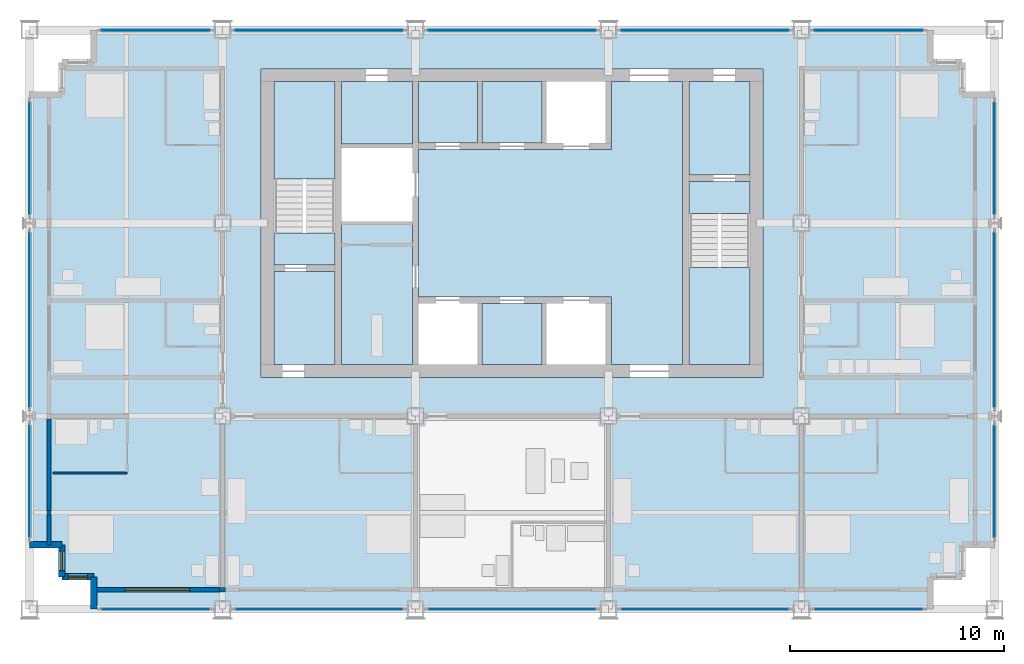
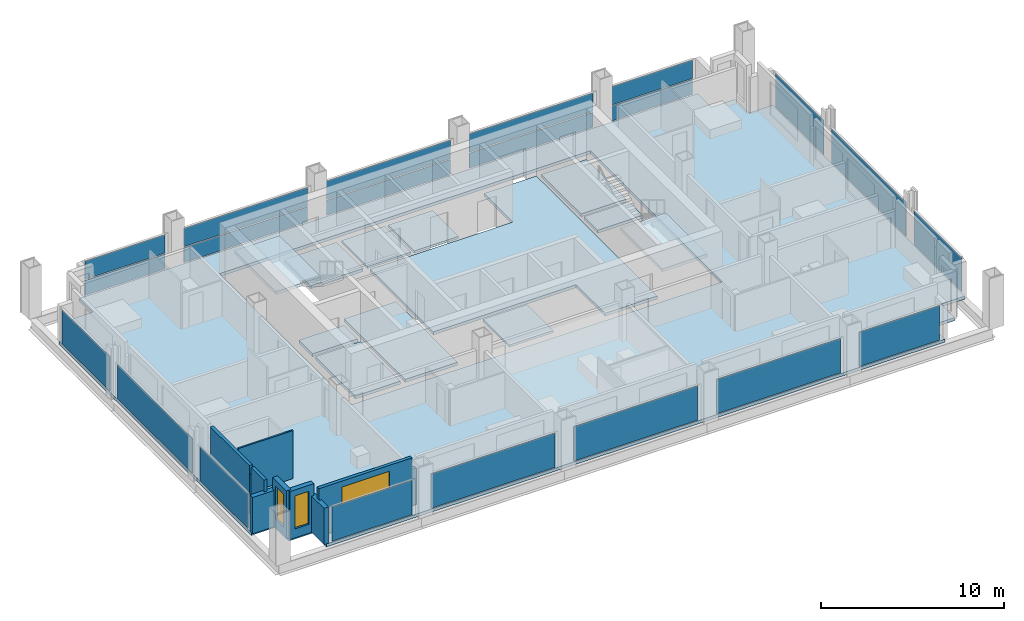
# One storey, part 6 of 13: 21 plates, 13 slabs, 10 walls, 3 windows, 3 openings, 18 elements without a shape of their own.
"""IFC4 building model written with IfcOpenShell, lengths in metres."""

from ifc_helpers import new_model, si_unit, direction, frame, frame_2d, origin, origin_2d, place, context, subcontext, project, spatial, polyline, rectangle, outline, extrude, material, layer, layer_set, type_object, element, fill, aggregate, save


model = new_model("IFC4")

# Units and contexts
model_context = context("Model", 3, precision=1e-05, world=origin(), true_north=direction((0.0, 1.0)))
body_context = subcontext(model_context, "Body", "Model", "MODEL_VIEW")
ifc_project = project(units=[si_unit("LENGTHUNIT", "METRE"), si_unit("AREAUNIT", "SQUARE_METRE"), si_unit("VOLUMEUNIT", "CUBIC_METRE"), si_unit("PLANEANGLEUNIT", "RADIAN"), si_unit("MASSUNIT", "GRAM", prefix="KILO")], contexts=[model_context])

# Site, building, storey
site_placement = place(None, origin())
site = spatial("IfcSite", under=ifc_project, at=site_placement, CompositionType="ELEMENT")
building_placement = place(site_placement, origin())
building = spatial("IfcBuilding", under=site, at=building_placement, Name="Loomwork Tower", CompositionType="ELEMENT")
storey_placement = place(building_placement, frame((0.0, 0.0, 174.0)))
storey = spatial("IfcBuildingStorey", under=building, at=storey_placement, Name="L47", CompositionType="ELEMENT", Elevation=174.0)

# Slabs
ifc_material_1 = material(Name="Concrete 5000 psi (34 MPa) on composite metal deck", Category="concrete")
ifc_layer_1 = layer(ifc_material_1, 0.199951171875)
ifc_layer_set_1 = layer_set([ifc_layer_1], Name="Floor slab 200")
slab_type_1 = type_object("IfcSlabType", Name="Floor slab 200", PredefinedType="FLOOR", material=ifc_layer_set_1)
slab_1_placement = place(storey_placement, frame((0.0, 0.0, -0.199951171875)))
element("IfcSlab", 1, at=slab_1_placement, inside=storey, type_object=slab_type_1, Name="Floor slab L47", PredefinedType="FLOOR", context=body_context, shape_type="SweptSolid", body=[
    extrude(outline(polyline([(3.0, 1.5), (1.5, 1.5), (1.5, 3.0), (0.0, 3.0), (0.0, 24.0), (1.5, 24.0), (1.5, 25.5), (3.0, 25.5), (3.0, 27.0), (42.0, 27.0), (42.0, 25.5), (43.5, 25.5), (43.5, 24.0), (45.0, 24.0), (45.0, 3.0), (43.5, 3.0), (43.5, 1.5), (42.0, 1.5), (42.0, 0.0), (3.0, 0.0), (3.0, 1.5)]), holes=[polyline([(10.800048828125, 11.39990234375), (10.800048828125, 11.39990234375), (10.800048828125, 10.800048828125), (34.199951171875, 10.800048828125), (34.199951171875, 11.39990234375), (34.199951171875, 11.39990234375), (34.199951171875, 24.60009765625), (34.199951171875, 25.199951171875), (10.800048828125, 25.199951171875), (10.800048828125, 24.60009765625), (10.800048828125, 11.39990234375)])]), origin(), (0.0, 0.0, 1.0), 0.199951171875),
])
slab_2_placement = place(storey_placement, frame((0.0, 0.0, -0.199951171875)))
element("IfcSlab", 2, at=slab_2_placement, inside=storey, type_object=slab_type_1, Name="Floor slab L47", PredefinedType="FLOOR", context=body_context, shape_type="SweptSolid", body=[
    extrude(outline(polyline([(30.449951171875, 24.60009765625), (30.449951171875, 11.39990234375), (27.14990234375, 11.39990234375), (27.14990234375, 14.25), (27.14990234375, 14.550048828125), (18.14990234375, 14.550048828125), (18.14990234375, 21.449951171875), (27.14990234375, 21.449951171875), (27.14990234375, 21.75), (27.14990234375, 24.60009765625), (30.449951171875, 24.60009765625)])), origin(), (0.0, 0.0, 1.0), 0.199951171875),
])
slab_3_placement = place(storey_placement, frame((0.0, 0.0, -0.199951171875)))
element("IfcSlab", 3, at=slab_3_placement, inside=storey, type_object=slab_type_1, Name="Floor slab L47", PredefinedType="FLOOR", context=body_context, shape_type="SweptSolid", body=[
    extrude(outline(polyline([(14.550048828125, 11.39990234375), (14.550048828125, 18.074951171875), (17.85009765625, 18.074951171875), (17.85009765625, 11.39990234375), (14.550048828125, 11.39990234375)])), origin(), (0.0, 0.0, 1.0), 0.199951171875),
])
slab_4_placement = place(storey_placement, frame((0.0, 0.0, -0.199951171875)))
element("IfcSlab", 4, at=slab_4_placement, inside=storey, type_object=slab_type_1, Name="Floor slab L47", PredefinedType="FLOOR", context=body_context, shape_type="SweptSolid", body=[
    extrude(outline(polyline([(33.60009765625, 20.25), (30.75, 20.25), (30.75, 24.60009765625), (33.60009765625, 24.60009765625), (33.60009765625, 20.25)])), origin(), (0.0, 0.0, 1.0), 0.199951171875),
])
slab_5_placement = place(storey_placement, frame((0.0, 0.0, -0.199951171875)))
element("IfcSlab", 5, at=slab_5_placement, inside=storey, type_object=slab_type_1, Name="Floor slab L47", PredefinedType="FLOOR", context=body_context, shape_type="SweptSolid", body=[
    extrude(outline(polyline([(14.25, 15.75), (14.25, 11.39990234375), (11.39990234375, 11.39990234375), (11.39990234375, 15.75), (14.25, 15.75)])), origin(), (0.0, 0.0, 1.0), 0.199951171875),
])
slab_6_placement = place(storey_placement, frame((0.0, 0.0, -0.199951171875)))
element("IfcSlab", 6, at=slab_6_placement, inside=storey, type_object=slab_type_1, Name="Floor slab L47", PredefinedType="FLOOR", context=body_context, shape_type="SweptSolid", body=[
    extrude(outline(polyline([(14.550048828125, 21.699951171875), (14.550048828125, 24.60009765625), (17.85009765625, 24.60009765625), (17.85009765625, 21.699951171875), (14.550048828125, 21.699951171875)])), origin(), (0.0, 0.0, 1.0), 0.199951171875),
])

# Curtain wall, plate
ifc_material_2 = material(Name="Aluminium curtain wall frame", Category="aluminium")
curtain_wall_type_1 = type_object("IfcCurtainWallType", Name="Outer skin glazing hotel", PredefinedType="NOTDEFINED", material=ifc_material_2)
curtain_wall_1_placement = place(storey_placement, origin())
curtain_wall_1 = element("IfcCurtainWall", 7, at=curtain_wall_1_placement, inside=storey, type_object=curtain_wall_type_1, Name="Outer skin glazing hotel cw/S-0", PredefinedType="NOTDEFINED")
ifc_material_3 = material(Name="Clear laminated glass", Category="glass")
ifc_layer_2 = layer(ifc_material_3, 0.02392578125)
ifc_layer_set_2 = layer_set([ifc_layer_2], Name="Outer skin glazing hotel panel")
plate_type_1 = type_object("IfcPlateType", Name="Outer skin glazing hotel panel", PredefinedType="CURTAIN_PANEL", material=ifc_layer_set_2)
plate_1_placement = place(storey_placement, frame((5.875, 0.0, 0.06494140625), z_axis=(0.0, 0.0, 1.0), x_axis=(1.0, 0.0, 0.0)))
plate_1 = element("IfcPlate", 8, at=plate_1_placement, type_object=plate_type_1, Name="CW1 panel 1.1", PredefinedType="CURTAIN_PANEL", context=body_context, shape_type="SweptSolid", body=[
    extrude(rectangle(XDim=5.050048828125, YDim=0.02392578125, at=origin_2d()), origin(), (0.0, 0.0, 1.0), 2.290283203125),
])
aggregate(curtain_wall_1, [plate_1])

curtain_wall_2_placement = place(storey_placement, origin())
curtain_wall_2 = element("IfcCurtainWall", 9, at=curtain_wall_2_placement, inside=storey, type_object=curtain_wall_type_1, Name="Outer skin glazing hotel cw/S-9", PredefinedType="NOTDEFINED")
plate_2_placement = place(storey_placement, frame((13.5, 0.0, 0.06494140625), z_axis=(0.0, 0.0, 1.0), x_axis=(1.0, 0.0, 0.0)))
plate_2 = element("IfcPlate", 10, at=plate_2_placement, type_object=plate_type_1, Name="CW1 panel 1.1", PredefinedType="CURTAIN_PANEL", context=body_context, shape_type="SweptSolid", body=[
    extrude(rectangle(XDim=7.800048828125, YDim=0.02392578125, at=origin_2d()), origin(), (0.0, 0.0, 1.0), 2.290283203125),
])
aggregate(curtain_wall_2, [plate_2])

curtain_wall_3_placement = place(storey_placement, origin())
curtain_wall_3 = element("IfcCurtainWall", 11, at=curtain_wall_3_placement, inside=storey, type_object=curtain_wall_type_1, Name="Outer skin glazing hotel cw/S-18", PredefinedType="NOTDEFINED")
plate_3_placement = place(storey_placement, frame((22.5, 0.0, 0.06494140625), z_axis=(0.0, 0.0, 1.0), x_axis=(1.0, 0.0, 0.0)))
plate_3 = element("IfcPlate", 12, at=plate_3_placement, type_object=plate_type_1, Name="CW1 panel 1.1", PredefinedType="CURTAIN_PANEL", context=body_context, shape_type="SweptSolid", body=[
    extrude(rectangle(XDim=7.800048828125, YDim=0.02392578125, at=origin_2d()), origin(), (0.0, 0.0, 1.0), 2.290283203125),
])
aggregate(curtain_wall_3, [plate_3])

curtain_wall_4_placement = place(storey_placement, origin())
curtain_wall_4 = element("IfcCurtainWall", 13, at=curtain_wall_4_placement, inside=storey, type_object=curtain_wall_type_1, Name="Outer skin glazing hotel cw/S-27", PredefinedType="NOTDEFINED")
plate_4_placement = place(storey_placement, frame((31.5, 0.0, 0.06494140625), z_axis=(0.0, 0.0, 1.0), x_axis=(1.0, 0.0, 0.0)))
plate_4 = element("IfcPlate", 14, at=plate_4_placement, type_object=plate_type_1, Name="CW1 panel 1.1", PredefinedType="CURTAIN_PANEL", context=body_context, shape_type="SweptSolid", body=[
    extrude(rectangle(XDim=7.800048828125, YDim=0.02392578125, at=origin_2d()), origin(), (0.0, 0.0, 1.0), 2.290283203125),
])
aggregate(curtain_wall_4, [plate_4])

curtain_wall_5_placement = place(storey_placement, origin())
curtain_wall_5 = element("IfcCurtainWall", 15, at=curtain_wall_5_placement, inside=storey, type_object=curtain_wall_type_1, Name="Outer skin glazing hotel cw/S-36", PredefinedType="NOTDEFINED")
plate_5_placement = place(storey_placement, frame((39.125, 0.0, 0.06494140625), z_axis=(0.0, 0.0, 1.0), x_axis=(1.0, 0.0, 0.0)))
plate_5 = element("IfcPlate", 16, at=plate_5_placement, type_object=plate_type_1, Name="CW1 panel 1.1", PredefinedType="CURTAIN_PANEL", context=body_context, shape_type="SweptSolid", body=[
    extrude(rectangle(XDim=5.050048828125, YDim=0.02392578125, at=origin_2d()), origin(), (0.0, 0.0, 1.0), 2.290283203125),
])
aggregate(curtain_wall_5, [plate_5])

curtain_wall_6_placement = place(storey_placement, origin())
curtain_wall_6 = element("IfcCurtainWall", 17, at=curtain_wall_6_placement, inside=storey, type_object=curtain_wall_type_1, Name="Outer skin glazing hotel cw/W-0", PredefinedType="NOTDEFINED")
plate_6_placement = place(storey_placement, frame((0.0, 5.962646484375, 0.06494140625), z_axis=(0.0, 0.0, 1.0), x_axis=(0.0, -1.0, 0.0)))
plate_6 = element("IfcPlate", 18, at=plate_6_placement, type_object=plate_type_1, Name="CW1 panel 1.1", PredefinedType="CURTAIN_PANEL", context=body_context, shape_type="SweptSolid", body=[
    extrude(rectangle(XDim=5.22509765625, YDim=0.02392578125, at=origin_2d()), origin(), (0.0, 0.0, 1.0), 2.290283203125),
])
aggregate(curtain_wall_6, [plate_6])

curtain_wall_7_placement = place(storey_placement, origin())
curtain_wall_7 = element("IfcCurtainWall", 19, at=curtain_wall_7_placement, inside=storey, type_object=curtain_wall_type_1, Name="Outer skin glazing hotel cw/W-9", PredefinedType="NOTDEFINED")
plate_7_placement = place(storey_placement, frame((0.0, 13.5, 0.06494140625), z_axis=(0.0, 0.0, 1.0), x_axis=(0.0, -1.0, 0.0)))
plate_7 = element("IfcPlate", 20, at=plate_7_placement, type_object=plate_type_1, Name="CW1 panel 1.1", PredefinedType="CURTAIN_PANEL", context=body_context, shape_type="SweptSolid", body=[
    extrude(rectangle(XDim=8.150390625, YDim=0.02392578125, at=origin_2d()), origin(), (0.0, 0.0, 1.0), 2.290283203125),
])
aggregate(curtain_wall_7, [plate_7])

curtain_wall_8_placement = place(storey_placement, origin())
curtain_wall_8 = element("IfcCurtainWall", 21, at=curtain_wall_8_placement, inside=storey, type_object=curtain_wall_type_1, Name="Outer skin glazing hotel cw/W-18", PredefinedType="NOTDEFINED")
plate_8_placement = place(storey_placement, frame((0.0, 21.037353515625, 0.06494140625), z_axis=(0.0, 0.0, 1.0), x_axis=(0.0, -1.0, 0.0)))
plate_8 = element("IfcPlate", 22, at=plate_8_placement, type_object=plate_type_1, Name="CW1 panel 1.1", PredefinedType="CURTAIN_PANEL", context=body_context, shape_type="SweptSolid", body=[
    extrude(rectangle(XDim=5.22509765625, YDim=0.02392578125, at=origin_2d()), origin(), (0.0, 0.0, 1.0), 2.290283203125),
])
aggregate(curtain_wall_8, [plate_8])

curtain_wall_9_placement = place(storey_placement, origin())
curtain_wall_9 = element("IfcCurtainWall", 23, at=curtain_wall_9_placement, inside=storey, type_object=curtain_wall_type_1, Name="Outer skin glazing hotel cw/E-0", PredefinedType="NOTDEFINED")
plate_9_placement = place(storey_placement, frame((45.0, 5.962646484375, 0.06494140625), z_axis=(0.0, 0.0, 1.0), x_axis=(0.0, 1.0, 0.0)))
plate_9 = element("IfcPlate", 24, at=plate_9_placement, type_object=plate_type_1, Name="CW1 panel 1.1", PredefinedType="CURTAIN_PANEL", context=body_context, shape_type="SweptSolid", body=[
    extrude(rectangle(XDim=5.22509765625, YDim=0.02392578125, at=origin_2d()), origin(), (0.0, 0.0, 1.0), 2.290283203125),
])
aggregate(curtain_wall_9, [plate_9])

curtain_wall_10_placement = place(storey_placement, origin())
curtain_wall_10 = element("IfcCurtainWall", 25, at=curtain_wall_10_placement, inside=storey, type_object=curtain_wall_type_1, Name="Outer skin glazing hotel cw/E-9", PredefinedType="NOTDEFINED")
plate_10_placement = place(storey_placement, frame((45.0, 13.5, 0.06494140625), z_axis=(0.0, 0.0, 1.0), x_axis=(0.0, 1.0, 0.0)))
plate_10 = element("IfcPlate", 26, at=plate_10_placement, type_object=plate_type_1, Name="CW1 panel 1.1", PredefinedType="CURTAIN_PANEL", context=body_context, shape_type="SweptSolid", body=[
    extrude(rectangle(XDim=8.150390625, YDim=0.02392578125, at=origin_2d()), origin(), (0.0, 0.0, 1.0), 2.290283203125),
])
aggregate(curtain_wall_10, [plate_10])

curtain_wall_11_placement = place(storey_placement, origin())
curtain_wall_11 = element("IfcCurtainWall", 27, at=curtain_wall_11_placement, inside=storey, type_object=curtain_wall_type_1, Name="Outer skin glazing hotel cw/E-18", PredefinedType="NOTDEFINED")
plate_11_placement = place(storey_placement, frame((45.0, 21.037353515625, 0.06494140625), z_axis=(0.0, 0.0, 1.0), x_axis=(0.0, 1.0, 0.0)))
plate_11 = element("IfcPlate", 28, at=plate_11_placement, type_object=plate_type_1, Name="CW1 panel 1.1", PredefinedType="CURTAIN_PANEL", context=body_context, shape_type="SweptSolid", body=[
    extrude(rectangle(XDim=5.22509765625, YDim=0.02392578125, at=origin_2d()), origin(), (0.0, 0.0, 1.0), 2.290283203125),
])
aggregate(curtain_wall_11, [plate_11])

# Slabs
ifc_material_4 = material(Name="Concrete 5000 psi (34 MPa) on composite metal deck", Category="concrete")
ifc_layer_3 = layer(ifc_material_4, 0.14990234375)
ifc_layer_set_3 = layer_set([ifc_layer_3], Name="Shaft infill floor 150")
slab_type_2 = type_object("IfcSlabType", Name="Shaft infill floor 150", PredefinedType="FLOOR", material=ifc_layer_set_3)
slab_7_placement = place(storey_placement, frame((0.0, 0.0, -0.14990234375)))
element("IfcSlab", 29, at=slab_7_placement, inside=storey, type_object=slab_type_2, Name="Shaft infill floor LS1 L47", PredefinedType="FLOOR", context=body_context, shape_type="SweptSolid", body=[
    extrude(outline(polyline([(18.14990234375, 21.75), (20.89990234375, 21.75), (20.89990234375, 24.60009765625), (18.14990234375, 24.60009765625), (18.14990234375, 21.75)])), origin(), (0.0, 0.0, 1.0), 0.14990234375),
])
slab_8_placement = place(storey_placement, frame((0.0, 0.0, -0.14990234375)))
element("IfcSlab", 30, at=slab_8_placement, inside=storey, type_object=slab_type_2, Name="Shaft infill floor LS2 L47", PredefinedType="FLOOR", context=body_context, shape_type="SweptSolid", body=[
    extrude(outline(polyline([(21.10009765625, 21.75), (23.89990234375, 21.75), (23.89990234375, 24.60009765625), (21.10009765625, 24.60009765625), (21.10009765625, 21.75)])), origin(), (0.0, 0.0, 1.0), 0.14990234375),
])
slab_9_placement = place(storey_placement, frame((0.0, 0.0, -0.14990234375)))
element("IfcSlab", 31, at=slab_9_placement, inside=storey, type_object=slab_type_2, Name="Shaft infill floor S2 L47", PredefinedType="FLOOR", context=body_context, shape_type="SweptSolid", body=[
    extrude(outline(polyline([(21.10009765625, 11.39990234375), (23.89990234375, 11.39990234375), (23.89990234375, 14.25), (21.10009765625, 14.25), (21.10009765625, 11.39990234375)])), origin(), (0.0, 0.0, 1.0), 0.14990234375),
])

# Curtain wall, plates
ifc_material_5 = material(Name="Aluminium curtain wall frame", Category="aluminium")
curtain_wall_type_2 = type_object("IfcCurtainWallType", Name="Single skin glazing corridor", PredefinedType="NOTDEFINED", material=ifc_material_5)
curtain_wall_12_placement = place(storey_placement, origin())
curtain_wall_12 = element("IfcCurtainWall", 32, at=curtain_wall_12_placement, inside=storey, type_object=curtain_wall_type_2, Name="Single skin glazing corridor cw/N-0", PredefinedType="NOTDEFINED")
ifc_material_6 = material(Name="Clear insulated glass", Category="glass")
ifc_layer_4 = layer(ifc_material_6, 0.031982421875)
ifc_layer_set_4 = layer_set([ifc_layer_4], Name="Single skin glazing corridor panel")
plate_type_2 = type_object("IfcPlateType", Name="Single skin glazing corridor panel", PredefinedType="CURTAIN_PANEL", material=ifc_layer_set_4)
plate_12_placement = place(storey_placement, frame((5.875, 27.0, 0.06494140625), z_axis=(0.0, 0.0, 1.0), x_axis=(-1.0, 0.0, 0.0)))
plate_12 = element("IfcPlate", 33, at=plate_12_placement, type_object=plate_type_2, Name="CW3 panel 1.1", PredefinedType="CURTAIN_PANEL", context=body_context, shape_type="SweptSolid", body=[
    extrude(rectangle(XDim=5.050048828125, YDim=0.031982421875, at=origin_2d()), origin(), (0.0, 0.0, 1.0), 1.00244140625),
])
plate_13_placement = place(storey_placement, frame((5.875, 27.0, 1.132568359375), z_axis=(0.0, 0.0, 1.0), x_axis=(-1.0, 0.0, 0.0)))
plate_13 = element("IfcPlate", 34, at=plate_13_placement, type_object=plate_type_2, Name="CW3 panel 1.2", PredefinedType="CURTAIN_PANEL", context=body_context, shape_type="SweptSolid", body=[
    extrude(rectangle(XDim=5.050048828125, YDim=0.031982421875, at=origin_2d()), origin(), (0.0, 0.0, 1.0), 1.22265625),
])
aggregate(curtain_wall_12, [plate_12, plate_13])

curtain_wall_13_placement = place(storey_placement, origin())
curtain_wall_13 = element("IfcCurtainWall", 35, at=curtain_wall_13_placement, inside=storey, type_object=curtain_wall_type_2, Name="Single skin glazing corridor cw/N-9", PredefinedType="NOTDEFINED")
plate_14_placement = place(storey_placement, frame((13.5, 27.0, 0.06494140625), z_axis=(0.0, 0.0, 1.0), x_axis=(-1.0, 0.0, 0.0)))
plate_14 = element("IfcPlate", 36, at=plate_14_placement, type_object=plate_type_2, Name="CW3 panel 1.1", PredefinedType="CURTAIN_PANEL", context=body_context, shape_type="SweptSolid", body=[
    extrude(rectangle(XDim=7.800048828125, YDim=0.031982421875, at=origin_2d()), origin(), (0.0, 0.0, 1.0), 1.00244140625),
])
plate_15_placement = place(storey_placement, frame((13.5, 27.0, 1.132568359375), z_axis=(0.0, 0.0, 1.0), x_axis=(-1.0, 0.0, 0.0)))
plate_15 = element("IfcPlate", 37, at=plate_15_placement, type_object=plate_type_2, Name="CW3 panel 1.2", PredefinedType="CURTAIN_PANEL", context=body_context, shape_type="SweptSolid", body=[
    extrude(rectangle(XDim=7.800048828125, YDim=0.031982421875, at=origin_2d()), origin(), (0.0, 0.0, 1.0), 1.22265625),
])
aggregate(curtain_wall_13, [plate_14, plate_15])

curtain_wall_14_placement = place(storey_placement, origin())
curtain_wall_14 = element("IfcCurtainWall", 38, at=curtain_wall_14_placement, inside=storey, type_object=curtain_wall_type_2, Name="Single skin glazing corridor cw/N-18", PredefinedType="NOTDEFINED")
plate_16_placement = place(storey_placement, frame((22.5, 27.0, 0.06494140625), z_axis=(0.0, 0.0, 1.0), x_axis=(-1.0, 0.0, 0.0)))
plate_16 = element("IfcPlate", 39, at=plate_16_placement, type_object=plate_type_2, Name="CW3 panel 1.1", PredefinedType="CURTAIN_PANEL", context=body_context, shape_type="SweptSolid", body=[
    extrude(rectangle(XDim=7.800048828125, YDim=0.031982421875, at=origin_2d()), origin(), (0.0, 0.0, 1.0), 1.00244140625),
])
plate_17_placement = place(storey_placement, frame((22.5, 27.0, 1.132568359375), z_axis=(0.0, 0.0, 1.0), x_axis=(-1.0, 0.0, 0.0)))
plate_17 = element("IfcPlate", 40, at=plate_17_placement, type_object=plate_type_2, Name="CW3 panel 1.2", PredefinedType="CURTAIN_PANEL", context=body_context, shape_type="SweptSolid", body=[
    extrude(rectangle(XDim=7.800048828125, YDim=0.031982421875, at=origin_2d()), origin(), (0.0, 0.0, 1.0), 1.22265625),
])
aggregate(curtain_wall_14, [plate_16, plate_17])

curtain_wall_15_placement = place(storey_placement, origin())
curtain_wall_15 = element("IfcCurtainWall", 41, at=curtain_wall_15_placement, inside=storey, type_object=curtain_wall_type_2, Name="Single skin glazing corridor cw/N-27", PredefinedType="NOTDEFINED")
plate_18_placement = place(storey_placement, frame((31.5, 27.0, 0.06494140625), z_axis=(0.0, 0.0, 1.0), x_axis=(-1.0, 0.0, 0.0)))
plate_18 = element("IfcPlate", 42, at=plate_18_placement, type_object=plate_type_2, Name="CW3 panel 1.1", PredefinedType="CURTAIN_PANEL", context=body_context, shape_type="SweptSolid", body=[
    extrude(rectangle(XDim=7.800048828125, YDim=0.031982421875, at=origin_2d()), origin(), (0.0, 0.0, 1.0), 1.00244140625),
])
plate_19_placement = place(storey_placement, frame((31.5, 27.0, 1.132568359375), z_axis=(0.0, 0.0, 1.0), x_axis=(-1.0, 0.0, 0.0)))
plate_19 = element("IfcPlate", 43, at=plate_19_placement, type_object=plate_type_2, Name="CW3 panel 1.2", PredefinedType="CURTAIN_PANEL", context=body_context, shape_type="SweptSolid", body=[
    extrude(rectangle(XDim=7.800048828125, YDim=0.031982421875, at=origin_2d()), origin(), (0.0, 0.0, 1.0), 1.22265625),
])
aggregate(curtain_wall_15, [plate_18, plate_19])

curtain_wall_16_placement = place(storey_placement, origin())
curtain_wall_16 = element("IfcCurtainWall", 44, at=curtain_wall_16_placement, inside=storey, type_object=curtain_wall_type_2, Name="Single skin glazing corridor cw/N-36", PredefinedType="NOTDEFINED")
plate_20_placement = place(storey_placement, frame((39.125, 27.0, 0.06494140625), z_axis=(0.0, 0.0, 1.0), x_axis=(-1.0, 0.0, 0.0)))
plate_20 = element("IfcPlate", 45, at=plate_20_placement, type_object=plate_type_2, Name="CW3 panel 1.1", PredefinedType="CURTAIN_PANEL", context=body_context, shape_type="SweptSolid", body=[
    extrude(rectangle(XDim=5.050048828125, YDim=0.031982421875, at=origin_2d()), origin(), (0.0, 0.0, 1.0), 1.00244140625),
])
plate_21_placement = place(storey_placement, frame((39.125, 27.0, 1.132568359375), z_axis=(0.0, 0.0, 1.0), x_axis=(-1.0, 0.0, 0.0)))
plate_21 = element("IfcPlate", 46, at=plate_21_placement, type_object=plate_type_2, Name="CW3 panel 1.2", PredefinedType="CURTAIN_PANEL", context=body_context, shape_type="SweptSolid", body=[
    extrude(rectangle(XDim=5.050048828125, YDim=0.031982421875, at=origin_2d()), origin(), (0.0, 0.0, 1.0), 1.22265625),
])
aggregate(curtain_wall_16, [plate_20, plate_21])

# Stair, slabs
ifc_material_7 = material(Name="Concrete 5000 psi (34 MPa) precast stair", Category="concrete")
stair_type_1 = type_object("IfcStairType", Name="Stair ST-A 20 risers 2850 wide", PredefinedType="HALF_TURN_STAIR", material=ifc_material_7)
stair_1_placement = place(storey_placement, origin())
stair_1 = element("IfcStair", 47, at=stair_1_placement, inside=storey, type_object=stair_type_1, Name="Stair A L47", PredefinedType="HALF_TURN_STAIR")
ifc_material_8 = material(Name="Concrete 5000 psi (34 MPa)", Category="concrete")
ifc_layer_5 = layer(ifc_material_8, 0.199951171875)
ifc_layer_set_5 = layer_set([ifc_layer_5], Name="Stair landing 200")
slab_type_3 = type_object("IfcSlabType", Name="Stair landing 200", PredefinedType="LANDING", material=ifc_layer_set_5)
slab_10_placement = place(storey_placement, frame((0.0, 0.0, -0.199951171875)))
slab_10 = element("IfcSlab", 48, at=slab_10_placement, type_object=slab_type_3, Name="ST-A landing 1", PredefinedType="LANDING", context=body_context, shape_type="SweptSolid", body=[
    extrude(outline(polyline([(11.39990234375, 16.050048828125), (14.25, 16.050048828125), (14.25, 17.550048828125), (11.39990234375, 17.550048828125), (11.39990234375, 16.050048828125)])), origin(), (0.0, 0.0, 1.0), 0.199951171875),
])
slab_11_placement = place(storey_placement, frame((0.0, 0.0, 1.5)))
slab_11 = element("IfcSlab", 49, at=slab_11_placement, type_object=slab_type_3, Name="ST-A landing 2", PredefinedType="LANDING", context=body_context, shape_type="SweptSolid", body=[
    extrude(outline(polyline([(11.39990234375, 20.070068359375), (14.25, 20.070068359375), (14.25, 24.60009765625), (11.39990234375, 24.60009765625), (11.39990234375, 20.070068359375)])), origin(), (0.0, 0.0, 1.0), 0.199951171875),
])
aggregate(stair_1, [slab_10, slab_11])

ifc_material_9 = material(Name="Concrete 5000 psi (34 MPa) precast stair", Category="concrete")
stair_type_2 = type_object("IfcStairType", Name="Stair ST-B 20 risers 2850 wide", PredefinedType="HALF_TURN_STAIR", material=ifc_material_9)
stair_2_placement = place(storey_placement, origin())
stair_2 = element("IfcStair", 50, at=stair_2_placement, inside=storey, type_object=stair_type_2, Name="Stair B L47", PredefinedType="HALF_TURN_STAIR")
slab_12_placement = place(storey_placement, frame((0.0, 0.0, -0.199951171875)))
slab_12 = element("IfcSlab", 51, at=slab_12_placement, type_object=slab_type_3, Name="ST-B landing 1", PredefinedType="LANDING", context=body_context, shape_type="SweptSolid", body=[
    extrude(outline(polyline([(30.75, 18.449951171875), (33.60009765625, 18.449951171875), (33.60009765625, 19.949951171875), (30.75, 19.949951171875), (30.75, 18.449951171875)])), origin(), (0.0, 0.0, 1.0), 0.199951171875),
])
slab_13_placement = place(storey_placement, frame((0.0, 0.0, 1.5)))
slab_13 = element("IfcSlab", 52, at=slab_13_placement, type_object=slab_type_3, Name="ST-B landing 2", PredefinedType="LANDING", context=body_context, shape_type="SweptSolid", body=[
    extrude(outline(polyline([(30.75, 11.39990234375), (33.60009765625, 11.39990234375), (33.60009765625, 15.929931640625), (30.75, 15.929931640625), (30.75, 11.39990234375)])), origin(), (0.0, 0.0, 1.0), 0.199951171875),
])
aggregate(stair_2, [slab_12, slab_13])

# Wall
ifc_material_10 = material(Name="Cement board on steel studs", Category="steel")
ifc_layer_6 = layer(ifc_material_10, 0.10009765625)
ifc_layer_set_6 = layer_set([ifc_layer_6], Name="En-suite partition 100")
wall_type_1 = type_object("IfcWallType", Name="En-suite partition 100", PredefinedType="PARTITIONING", material=ifc_layer_set_6)
wall_1_placement = place(storey_placement, frame((1.10009765625, 6.35009765625, 0.0), z_axis=(0.0, 0.0, 1.0), x_axis=(1.0, 0.0, 0.0)))
element("IfcWall", 53, at=wall_1_placement, inside=storey, type_object=wall_type_1, Name="En-suite wall L47 room 1", PredefinedType="PARTITIONING", context=body_context, shape_type="SweptSolid", body=[
    extrude(rectangle(XDim=3.449951171875, YDim=0.10009765625, at=frame_2d((1.72509765625, 0.0))), origin(), (0.0, 0.0, 1.0), 3.199951171875),
])

# Wall, opening, window
ifc_material_11 = material(Name="Insulated steel stud wall with gypsum lining", Category="steel")
ifc_layer_7 = layer(ifc_material_11, 0.199951171875)
ifc_layer_set_7 = layer_set([ifc_layer_7], Name="Inner skin wall 200")
wall_type_2 = type_object("IfcWallType", Name="Inner skin wall 200", PredefinedType="SOLIDWALL", material=ifc_layer_set_7)
wall_2_placement = place(storey_placement, frame((3.0, 0.89990234375, 0.0), z_axis=(0.0, 0.0, 1.0), x_axis=(1.0, 0.0, 0.0)))
wall_2 = element("IfcWall", 54, at=wall_2_placement, inside=storey, type_object=wall_type_2, Name="Inner skin wall S", PredefinedType="SOLIDWALL", context=body_context, shape_type="SweptSolid", body=[
    extrude(rectangle(XDim=5.86474609375, YDim=0.199951171875, at=frame_2d((2.932373046875, 0.0))), origin(), (0.0, 0.0, 1.0), 3.199951171875),
])
opening_1_placement = place(wall_2_placement, frame((1.449951171875, 0.0, 0.60009765625)))
opening_1 = element("IfcOpeningElement", 55, at=opening_1_placement, cuts=wall_2, Name="Opening CH1", PredefinedType="OPENING", context=body_context, shape_type="SweptSolid", body=[
    extrude(rectangle(XDim=3.0, YDim=2.199951171875, at=frame_2d((1.5, 1.10009765625))), frame((0.0, 0.10986328125, 0.0), z_axis=(0.0, -1.0, 0.0), x_axis=(1.0, 0.0, 0.0)), (0.0, 0.0, 1.0), 0.219970703125),
])
ifc_material_12 = material(Name="Aluminium frame with clear insulated glass", Category="aluminium")
window_type_1 = type_object("IfcWindowType", Name="Chicago window 3000", PartitioningType="TRIPLE_PANEL_VERTICAL", PredefinedType="WINDOW", material=ifc_material_12)
window_1_placement = place(opening_1_placement, origin())
window_1 = element("IfcWindow", 56, at=window_1_placement, inside=storey, type_object=window_type_1, Name="Chicago window L47 bay 1", OverallHeight=2.199951171875, OverallWidth=3.0, PartitioningType="TRIPLE_PANEL_VERTICAL", PredefinedType="WINDOW", context=body_context, shape_type="SweptSolid", body=[
    extrude(rectangle(XDim=3.0, YDim=2.199951171875, at=frame_2d((1.5, 1.10009765625))), frame((0.0, 0.030029296875, 0.0), z_axis=(0.0, -1.0, 0.0), x_axis=(1.0, 0.0, 0.0)), (0.0, 0.0, 1.0), 0.06005859375),
])
fill(opening_1, window_1)

# Walls
wall_3_placement = place(storey_placement, frame((0.89990234375, 3.0, 0.0), z_axis=(0.0, 0.0, 1.0), x_axis=(0.0, 1.0, 0.0)))
element("IfcWall", 57, at=wall_3_placement, inside=storey, type_object=wall_type_2, Name="Inner skin wall W", PredefinedType="SOLIDWALL", context=body_context, shape_type="SweptSolid", body=[
    extrude(rectangle(XDim=1.392578125, YDim=0.199951171875, at=frame_2d((0.6962890625, 0.0))), origin(), (0.0, 0.0, 1.0), 3.199951171875),
])
wall_4_placement = place(storey_placement, frame((8.86474609375, 0.89990234375, 0.0), z_axis=(0.0, 0.0, 1.0), x_axis=(1.0, 0.0, 0.0)))
element("IfcWall", 58, at=wall_4_placement, inside=storey, type_object=wall_type_2, Name="Inner skin wall S bay 2", PredefinedType="SOLIDWALL", context=body_context, shape_type="SweptSolid", body=[
    extrude(rectangle(XDim=0.2705078125, YDim=0.199951171875, at=frame_2d((0.13525390625, 0.0))), origin(), (0.0, 0.0, 1.0), 2.43798828125),
])
wall_5_placement = place(storey_placement, frame((0.89990234375, 4.392578125, 0.0), z_axis=(0.0, 0.0, 1.0), x_axis=(0.0, 1.0, 0.0)))
element("IfcWall", 59, at=wall_5_placement, inside=storey, type_object=wall_type_2, Name="Inner skin wall W bay 2", PredefinedType="SOLIDWALL", context=body_context, shape_type="SweptSolid", body=[
    extrude(rectangle(XDim=0.21484375, YDim=0.199951171875, at=frame_2d((0.107421875, 0.0))), origin(), (0.0, 0.0, 1.0), 2.660888671875),
])
wall_6_placement = place(storey_placement, frame((0.89990234375, 4.607421875, 0.0), z_axis=(0.0, 0.0, 1.0), x_axis=(0.0, 1.0, 0.0)))
element("IfcWall", 60, at=wall_6_placement, inside=storey, type_object=wall_type_2, Name="Inner skin wall W bay 3", PredefinedType="SOLIDWALL", context=body_context, shape_type="SweptSolid", body=[
    extrude(rectangle(XDim=4.25732421875, YDim=0.199951171875, at=frame_2d((2.128662109375, 0.0))), origin(), (0.0, 0.0, 1.0), 3.199951171875),
])
ifc_material_13 = material(Name="Limestone on concrete masonry", Category="masonry")
ifc_layer_8 = layer(ifc_material_13, 0.300048828125)
ifc_layer_set_8 = layer_set([ifc_layer_8], Name="Limestone corner wall 300")
wall_type_3 = type_object("IfcWallType", Name="Limestone corner wall 300", PredefinedType="SOLIDWALL", material=ifc_layer_set_8)
wall_7_placement = place(storey_placement, frame((0.0, 3.0, 0.0), z_axis=(0.0, 0.0, 1.0), x_axis=(1.0, 0.0, 0.0)))
element("IfcWall", 61, at=wall_7_placement, inside=storey, type_object=wall_type_3, Name="Stone corner wall SW 1", PredefinedType="SOLIDWALL", context=body_context, shape_type="SweptSolid", body=[
    extrude(rectangle(XDim=1.5, YDim=0.300048828125, at=frame_2d((0.75, 0.0))), origin(), (0.0, 0.0, 1.0), 2.419921875),
])

# Wall, opening, window
wall_8_placement = place(storey_placement, frame((1.5, 3.0, 0.0), z_axis=(0.0, 0.0, 1.0), x_axis=(0.0, -1.0, 0.0)))
wall_8 = element("IfcWall", 62, at=wall_8_placement, inside=storey, type_object=wall_type_3, Name="Stone corner wall SW 2", PredefinedType="SOLIDWALL", context=body_context, shape_type="SweptSolid", body=[
    extrude(rectangle(XDim=1.5, YDim=0.300048828125, at=frame_2d((0.75, 0.0))), origin(), (0.0, 0.0, 1.0), 3.199951171875),
])
opening_2_placement = place(wall_8_placement, frame((0.300048828125, 0.0, 0.60009765625)))
opening_2 = element("IfcOpeningElement", 63, at=opening_2_placement, cuts=wall_8, Name="Opening CH2", PredefinedType="OPENING", context=body_context, shape_type="SweptSolid", body=[
    extrude(rectangle(XDim=0.89990234375, YDim=2.199951171875, at=frame_2d((0.449951171875, 1.10009765625))), frame((0.0, 0.159912109375, 0.0), z_axis=(0.0, -1.0, 0.0), x_axis=(1.0, 0.0, 0.0)), (0.0, 0.0, 1.0), 0.320068359375),
])
ifc_material_14 = material(Name="Aluminium frame with clear insulated glass", Category="aluminium")
window_type_2 = type_object("IfcWindowType", Name="Corner window 900", PartitioningType="SINGLE_PANEL", PredefinedType="WINDOW", material=ifc_material_14)
window_2_placement = place(opening_2_placement, origin())
window_2 = element("IfcWindow", 64, at=window_2_placement, inside=storey, type_object=window_type_2, Name="Corner window SW", OverallHeight=2.199951171875, OverallWidth=0.89990234375, PartitioningType="SINGLE_PANEL", PredefinedType="WINDOW", context=body_context, shape_type="SweptSolid", body=[
    extrude(rectangle(XDim=0.89990234375, YDim=2.199951171875, at=frame_2d((0.449951171875, 1.10009765625))), frame((0.0, 0.030029296875, 0.0), z_axis=(0.0, -1.0, 0.0), x_axis=(1.0, 0.0, 0.0)), (0.0, 0.0, 1.0), 0.06005859375),
])
fill(opening_2, window_2)

wall_9_placement = place(storey_placement, frame((1.5, 1.5, 0.0), z_axis=(0.0, 0.0, 1.0), x_axis=(1.0, 0.0, 0.0)))
wall_9 = element("IfcWall", 65, at=wall_9_placement, inside=storey, type_object=wall_type_3, Name="Stone corner wall SW 3", PredefinedType="SOLIDWALL", context=body_context, shape_type="SweptSolid", body=[
    extrude(rectangle(XDim=1.5, YDim=0.300048828125, at=frame_2d((0.75, 0.0))), origin(), (0.0, 0.0, 1.0), 3.199951171875),
])
opening_3_placement = place(wall_9_placement, frame((0.300048828125, 0.0, 0.60009765625)))
opening_3 = element("IfcOpeningElement", 66, at=opening_3_placement, cuts=wall_9, Name="Opening CH2", PredefinedType="OPENING", context=body_context, shape_type="SweptSolid", body=[
    extrude(rectangle(XDim=0.89990234375, YDim=2.199951171875, at=frame_2d((0.449951171875, 1.10009765625))), frame((0.0, 0.159912109375, 0.0), z_axis=(0.0, -1.0, 0.0), x_axis=(1.0, 0.0, 0.0)), (0.0, 0.0, 1.0), 0.320068359375),
])
window_3_placement = place(opening_3_placement, origin())
window_3 = element("IfcWindow", 67, at=window_3_placement, inside=storey, type_object=window_type_2, Name="Corner window SW", OverallHeight=2.199951171875, OverallWidth=0.89990234375, PartitioningType="SINGLE_PANEL", PredefinedType="WINDOW", context=body_context, shape_type="SweptSolid", body=[
    extrude(rectangle(XDim=0.89990234375, YDim=2.199951171875, at=frame_2d((0.449951171875, 1.10009765625))), frame((0.0, 0.030029296875, 0.0), z_axis=(0.0, -1.0, 0.0), x_axis=(1.0, 0.0, 0.0)), (0.0, 0.0, 1.0), 0.06005859375),
])
fill(opening_3, window_3)

# Wall
wall_10_placement = place(storey_placement, frame((3.0, 1.5, 0.0), z_axis=(0.0, 0.0, 1.0), x_axis=(0.0, -1.0, 0.0)))
element("IfcWall", 68, at=wall_10_placement, inside=storey, type_object=wall_type_3, Name="Stone corner wall SW 4", PredefinedType="SOLIDWALL", context=body_context, shape_type="SweptSolid", body=[
    extrude(rectangle(XDim=1.5, YDim=0.300048828125, at=frame_2d((0.75, 0.0))), origin(), (0.0, 0.0, 1.0), 2.419921875),
])

save(model, "model.ifc")
